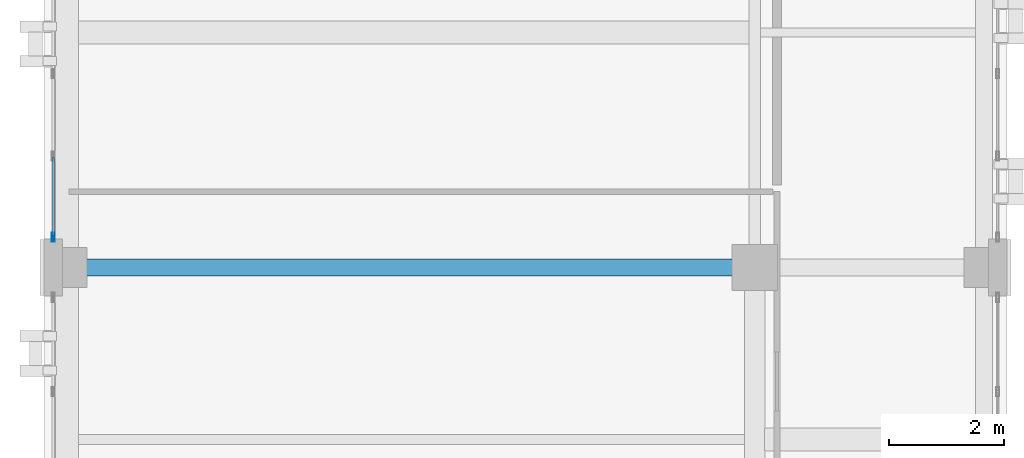
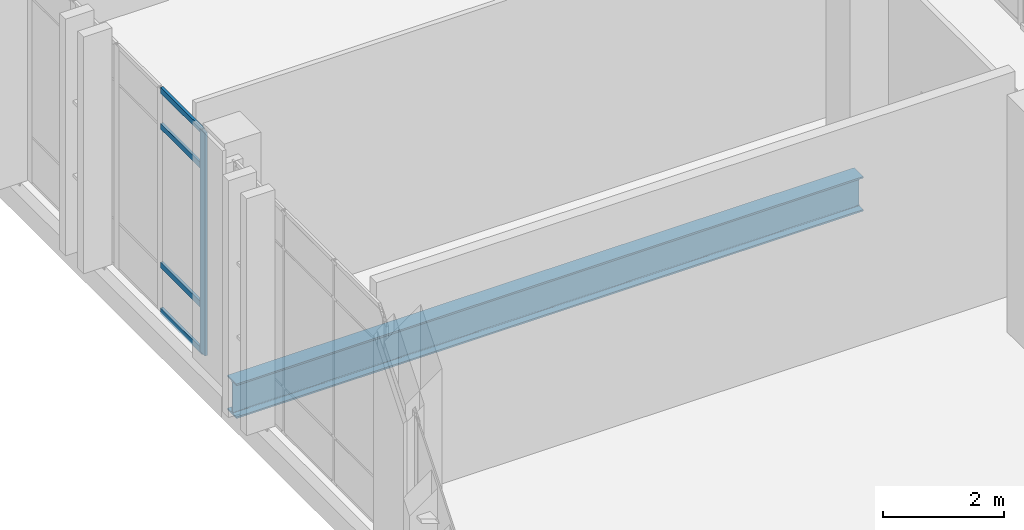
# One storey, part 70 of 189: 5 members, 1 beam, 1 element without a shape of its own.
"""IFC4 building model written with IfcOpenShell, lengths in metres."""

from ifc_helpers import new_model, si_unit, direction, frame, origin, origin_2d, place, context, subcontext, project, spatial, hollow_rectangle, i_section, extrude, material, layer, layer_set, material_profile, profile_set, type_object, element, aggregate, save


model = new_model("IFC4")

# Units and contexts
model_context = context("Model", 3, precision=1e-05, world=origin(), true_north=direction((0.0, 1.0)))
body_context = subcontext(model_context, "Body", "Model", "MODEL_VIEW")
ifc_project = project(units=[si_unit("LENGTHUNIT", "METRE"), si_unit("AREAUNIT", "SQUARE_METRE"), si_unit("VOLUMEUNIT", "CUBIC_METRE"), si_unit("PLANEANGLEUNIT", "RADIAN"), si_unit("MASSUNIT", "GRAM", prefix="KILO")], contexts=[model_context])

# Site, building, storey
site_placement = place(None, origin())
site = spatial("IfcSite", under=ifc_project, at=site_placement, CompositionType="ELEMENT")
building_placement = place(site_placement, origin())
building = spatial("IfcBuilding", under=site, at=building_placement, Name="Qalavern Law Courts", CompositionType="ELEMENT")
storey_placement = place(building_placement, frame((0.0, 0.0, 5.39990234375)))
storey = spatial("IfcBuildingStorey", under=building, at=storey_placement, Name="L01", CompositionType="ELEMENT", Elevation=5.39990234375)

# Curtain wall, members
ifc_material_1 = material(Name="Anodised aluminium and insulated glazing", Category="aluminium")
ifc_layer = layer(ifc_material_1, 0.172119140625)
ifc_layer_set = layer_set([ifc_layer], Name="Anodised aluminium and insulated glazing")
curtain_wall_type = type_object("IfcCurtainWallType", Name="ENV-CW-COURT", PredefinedType="USERDEFINED", material=ifc_layer_set)
curtain_wall_placement = place(storey_placement, origin())
curtain_wall = element("IfcCurtainWall", 1, at=curtain_wall_placement, inside=storey, type_object=curtain_wall_type, Name="V3 unitised curtain wall L01 west 2", ObjectType="UNITISED CURTAIN WALL", PredefinedType="USERDEFINED")
ifc_material_2 = material(Name="Anodised aluminium", Category="aluminium")
ifc_material_profile_1 = material_profile(ifc_material_2, hollow_rectangle(XDim=0.048095703125, YDim=0.159912109375, WallThickness=0.00390625, at=origin_2d()), Name="ALU MULLION 48x160")
ifc_profile_set_1 = profile_set([ifc_material_profile_1], Name="Anodised aluminium")
member_type_1 = type_object("IfcMemberType", Name="ENV-CWM-48x160", PredefinedType="MULLION", material=ifc_profile_set_1)
member_1_placement = place(storey_placement, frame((2.16259765625, 79.924072265625, 0.0), z_axis=(0.0, 0.0, 1.0), x_axis=(1.0, 0.0, 0.0)))
member_1 = element("IfcMember", 2, at=member_1_placement, type_object=member_type_1, Name="CW-03 mullion 6", PredefinedType="MULLION", context=body_context, shape_type="SweptSolid", body=[
    extrude(hollow_rectangle(XDim=0.048095703125, YDim=0.159912109375, WallThickness=0.00390625, at=origin_2d()), origin(), (0.0, 0.0, 1.0), 4.510009765625),
])
ifc_material_profile_2 = material_profile(ifc_material_2, hollow_rectangle(XDim=0.048095703125, YDim=0.1201171875, WallThickness=0.00390625, at=origin_2d()), Name="ALU TRANSOM 48x120")
ifc_profile_set_2 = profile_set([ifc_material_profile_2], Name="Anodised aluminium")
member_type_2 = type_object("IfcMemberType", Name="ENV-CWT-48x120", PredefinedType="USERDEFINED", material=ifc_profile_set_2)
member_2_placement = place(storey_placement, frame((2.16259765625, 81.31591796875, 0.024169921875), z_axis=(0.0, -1.0, 0.0), x_axis=(1.0, 0.0, 0.0)))
member_2 = element("IfcMember", 3, at=member_2_placement, type_object=member_type_2, Name="CW-03 transom 5.1", ObjectType="TRANSOM", PredefinedType="USERDEFINED", context=body_context, shape_type="SweptSolid", body=[
    extrude(hollow_rectangle(XDim=0.048095703125, YDim=0.1201171875, WallThickness=0.00390625, at=origin_2d()), origin(), (0.0, 0.0, 1.0), 1.367919921875),
])
member_3_placement = place(storey_placement, frame((2.16259765625, 81.31591796875, 0.9501953125), z_axis=(0.0, -1.0, 0.0), x_axis=(1.0, 0.0, 0.0)))
member_3 = element("IfcMember", 4, at=member_3_placement, type_object=member_type_2, Name="CW-03 transom 5.2", ObjectType="TRANSOM", PredefinedType="USERDEFINED", context=body_context, shape_type="SweptSolid", body=[
    extrude(hollow_rectangle(XDim=0.048095703125, YDim=0.1201171875, WallThickness=0.00390625, at=origin_2d()), origin(), (0.0, 0.0, 1.0), 1.367919921875),
])
member_4_placement = place(storey_placement, frame((2.16259765625, 81.31591796875, 3.760009765625), z_axis=(0.0, -1.0, 0.0), x_axis=(1.0, 0.0, 0.0)))
member_4 = element("IfcMember", 5, at=member_4_placement, type_object=member_type_2, Name="CW-03 transom 5.3", ObjectType="TRANSOM", PredefinedType="USERDEFINED", context=body_context, shape_type="SweptSolid", body=[
    extrude(hollow_rectangle(XDim=0.048095703125, YDim=0.1201171875, WallThickness=0.00390625, at=origin_2d()), origin(), (0.0, 0.0, 1.0), 1.367919921875),
])
member_5_placement = place(storey_placement, frame((2.16259765625, 81.31591796875, 4.486083984375), z_axis=(0.0, -1.0, 0.0), x_axis=(1.0, 0.0, 0.0)))
member_5 = element("IfcMember", 6, at=member_5_placement, type_object=member_type_2, Name="CW-03 transom 5.4", ObjectType="TRANSOM", PredefinedType="USERDEFINED", context=body_context, shape_type="SweptSolid", body=[
    extrude(hollow_rectangle(XDim=0.048095703125, YDim=0.1201171875, WallThickness=0.00390625, at=origin_2d()), origin(), (0.0, 0.0, 1.0), 1.367919921875),
])
aggregate(curtain_wall, [member_1, member_2, member_3, member_4, member_5])

# Beam
ifc_material_3 = material(Name="Steel S355", Category="steel")
ifc_material_profile_3 = material_profile(ifc_material_3, i_section(OverallWidth=0.300048828125, OverallDepth=0.699951171875, WebThickness=0.01708984375, FlangeThickness=0.031982421875, FilletRadius=0.027099609375, at=origin_2d()), Name="HEB 700")
ifc_profile_set_3 = profile_set([ifc_material_profile_3], Name="Steel S355")
beam_type = type_object("IfcBeamType", Name="STR-BM-HEB700", PredefinedType="BEAM", material=ifc_profile_set_3)
beam_placement = place(storey_placement, frame((2.39990234375, 79.39990234375, -0.64990234375), z_axis=(1.0, 0.0, 0.0), x_axis=(0.0, 1.0, 0.0)))
element("IfcBeam", 7, at=beam_placement, inside=storey, type_object=beam_type, Name="V3 X-beam 6-1 L01", PredefinedType="BEAM", context=body_context, shape_type="SweptSolid", body=[
    extrude(i_section(OverallWidth=0.300048828125, OverallDepth=0.699951171875, WebThickness=0.01708984375, FlangeThickness=0.031982421875, FilletRadius=0.027099609375, at=origin_2d()), origin(), (0.0, 0.0, 1.0), 12.0),
])

save(model, "model.ifc")
